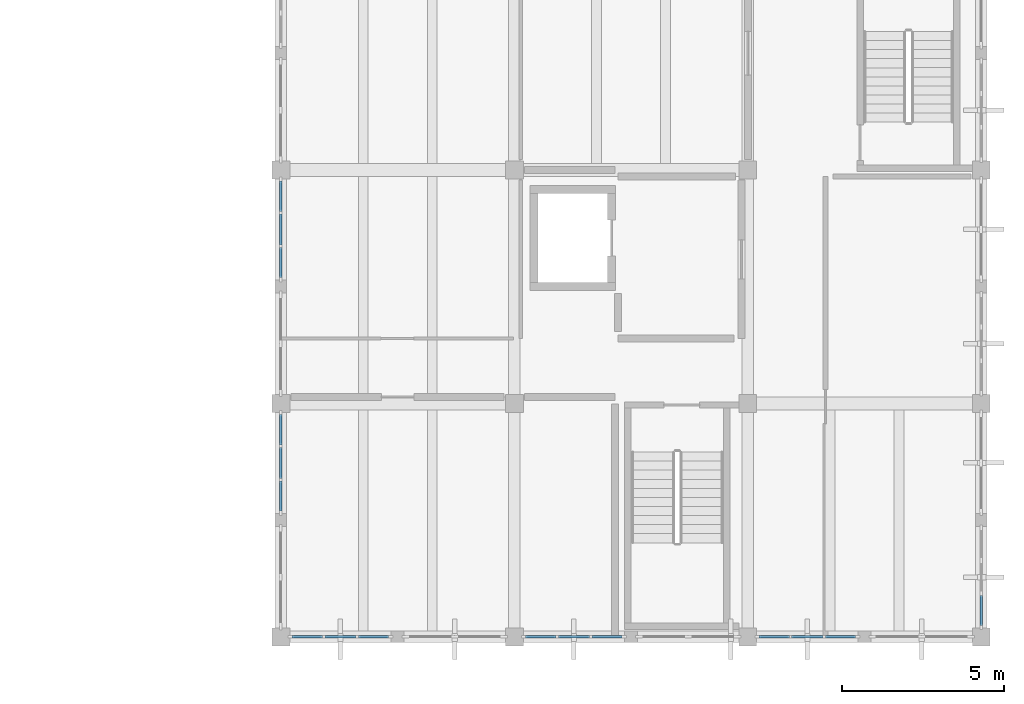
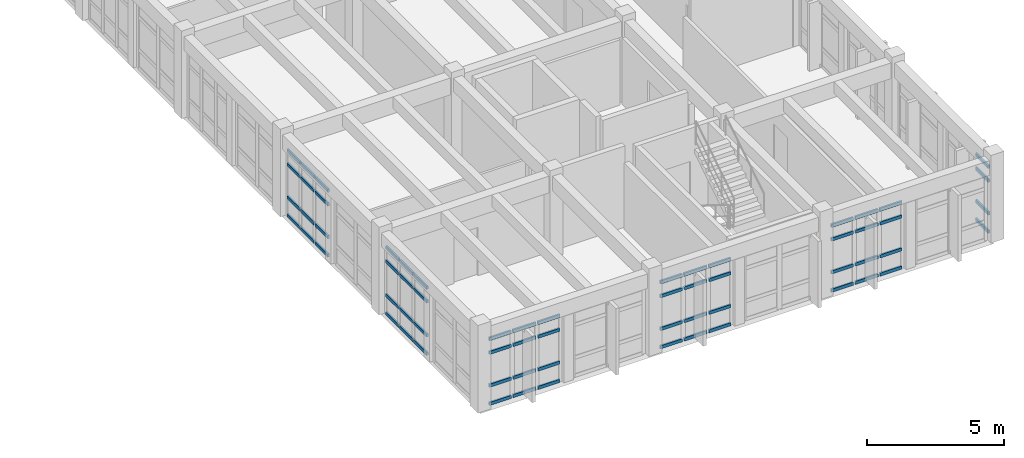
# One storey, part 9 of 22: 64 members, 6 elements without a shape of their own.
"""IFC4 building model written with IfcOpenShell, lengths in metres."""

from ifc_helpers import new_model, si_unit, direction, frame, origin, origin_2d, place, context, subcontext, project, spatial, rectangle, extrude, material, layer, layer_set, material_profile, profile_set, type_object, element, aggregate, save


model = new_model("IFC4")

# Units and contexts
model_context = context("Model", 3, precision=1e-05, world=origin(), true_north=direction((0.0, 1.0)))
body_context = subcontext(model_context, "Body", "Model", "MODEL_VIEW")
ifc_project = project(units=[si_unit("LENGTHUNIT", "METRE"), si_unit("AREAUNIT", "SQUARE_METRE"), si_unit("VOLUMEUNIT", "CUBIC_METRE"), si_unit("PLANEANGLEUNIT", "RADIAN"), si_unit("MASSUNIT", "GRAM", prefix="KILO")], contexts=[model_context])

# Site, building, storey
site_placement = place(None, origin())
site = spatial("IfcSite", under=ifc_project, at=site_placement, CompositionType="ELEMENT")
building_placement = place(site_placement, origin())
building = spatial("IfcBuilding", under=site, at=building_placement, Name="Koriwan Promenade Central Fire Station", CompositionType="ELEMENT")
storey_placement = place(building_placement, frame((0.0, 0.0, 17.39990234375)))
storey = spatial("IfcBuildingStorey", under=building, at=storey_placement, Name="L04", CompositionType="ELEMENT", Elevation=17.39990234375)

# Curtain wall, members
ifc_material_1 = material(Name="Aluminium EN AW-6063-T6 and low-E glazing", Category="aluminium")
ifc_layer_1 = layer(ifc_material_1, 0.159912109375, Name="Aluminium EN AW-6063-T6 and low-E glazing")
ifc_layer_set_1 = layer_set([ifc_layer_1], Name="Aluminium EN AW-6063-T6 and low-E glazing")
curtain_wall_type_1 = type_object("IfcCurtainWallType", Name="CurtainWall_82_312x296", PredefinedType="USERDEFINED", material=ifc_layer_set_1)
curtain_wall_1_placement = place(storey_placement, origin())
curtain_wall_1 = element("IfcCurtainWall", 1, at=curtain_wall_1_placement, inside=storey, type_object=curtain_wall_type_1, Name="V5 L04 unitised curtain wall 251", ObjectType="UNITISED CURTAIN WALL", PredefinedType="USERDEFINED")
ifc_material_2 = material(Name="Aluminium EN AW-6063-T6", Category="aluminium")
ifc_material_profile = material_profile(ifc_material_2, rectangle(XDim=0.074951171875, YDim=0.139892578125, at=origin_2d()), Name="ALU-TRN-75x140")
ifc_profile_set = profile_set([ifc_material_profile], Name="Aluminium EN AW-6063-T6")
member_type = type_object("IfcMemberType", Name="CWTransom_ALU-TRN-75x140", PredefinedType="USERDEFINED", material=ifc_profile_set)
member_1_placement = place(storey_placement, frame((172.800048828125, 0.35009765625, 0.03759765625), z_axis=(0.0, 1.0, 0.0), x_axis=(-1.0, 0.0, 0.0)))
member_1 = element("IfcMember", 2, at=member_1_placement, type_object=member_type, Name="CW-82 transom 1.1", ObjectType="TRANSOM", PredefinedType="USERDEFINED", context=body_context, shape_type="SweptSolid", body=[
    extrude(rectangle(XDim=0.074951171875, YDim=0.139892578125, at=origin_2d()), origin(), (0.0, 0.0, 1.0), 0.928955078125),
])
member_2_placement = place(storey_placement, frame((172.800048828125, 0.35009765625, 0.85009765625), z_axis=(0.0, 1.0, 0.0), x_axis=(-1.0, 0.0, 0.0)))
member_2 = element("IfcMember", 3, at=member_2_placement, type_object=member_type, Name="CW-82 transom 1.2", ObjectType="TRANSOM", PredefinedType="USERDEFINED", context=body_context, shape_type="SweptSolid", body=[
    extrude(rectangle(XDim=0.074951171875, YDim=0.139892578125, at=origin_2d()), origin(), (0.0, 0.0, 1.0), 0.928955078125),
])
member_3_placement = place(storey_placement, frame((172.800048828125, 0.35009765625, 2.31005859375), z_axis=(0.0, 1.0, 0.0), x_axis=(-1.0, 0.0, 0.0)))
member_3 = element("IfcMember", 4, at=member_3_placement, type_object=member_type, Name="CW-82 transom 1.3", ObjectType="TRANSOM", PredefinedType="USERDEFINED", context=body_context, shape_type="SweptSolid", body=[
    extrude(rectangle(XDim=0.074951171875, YDim=0.139892578125, at=origin_2d()), origin(), (0.0, 0.0, 1.0), 0.928955078125),
])
member_4_placement = place(storey_placement, frame((172.800048828125, 0.35009765625, 2.922607421875), z_axis=(0.0, 1.0, 0.0), x_axis=(-1.0, 0.0, 0.0)))
member_4 = element("IfcMember", 5, at=member_4_placement, type_object=member_type, Name="CW-82 transom 1.4", ObjectType="TRANSOM", PredefinedType="USERDEFINED", context=body_context, shape_type="SweptSolid", body=[
    extrude(rectangle(XDim=0.074951171875, YDim=0.139892578125, at=origin_2d()), origin(), (0.0, 0.0, 1.0), 0.928955078125),
])
aggregate(curtain_wall_1, [member_1, member_2, member_3, member_4])

curtain_wall_2_placement = place(storey_placement, origin())
curtain_wall_2 = element("IfcCurtainWall", 6, at=curtain_wall_2_placement, inside=storey, type_object=curtain_wall_type_1, Name="V5 L04 unitised curtain wall 267", ObjectType="UNITISED CURTAIN WALL", PredefinedType="USERDEFINED")
member_5_placement = place(storey_placement, frame((151.199951171875, 14.050048828125, 0.03759765625), z_axis=(0.0, -1.0, 0.0), x_axis=(1.0, 0.0, 0.0)))
member_5 = element("IfcMember", 7, at=member_5_placement, type_object=member_type, Name="CW-82 transom 1.1", ObjectType="TRANSOM", PredefinedType="USERDEFINED", context=body_context, shape_type="SweptSolid", body=[
    extrude(rectangle(XDim=0.074951171875, YDim=0.139892578125, at=origin_2d()), origin(), (0.0, 0.0, 1.0), 0.92919921875),
])
member_6_placement = place(storey_placement, frame((151.199951171875, 14.050048828125, 0.85009765625), z_axis=(0.0, -1.0, 0.0), x_axis=(1.0, 0.0, 0.0)))
member_6 = element("IfcMember", 8, at=member_6_placement, type_object=member_type, Name="CW-82 transom 1.2", ObjectType="TRANSOM", PredefinedType="USERDEFINED", context=body_context, shape_type="SweptSolid", body=[
    extrude(rectangle(XDim=0.074951171875, YDim=0.139892578125, at=origin_2d()), origin(), (0.0, 0.0, 1.0), 0.92919921875),
])
member_7_placement = place(storey_placement, frame((151.199951171875, 14.050048828125, 2.31005859375), z_axis=(0.0, -1.0, 0.0), x_axis=(1.0, 0.0, 0.0)))
member_7 = element("IfcMember", 9, at=member_7_placement, type_object=member_type, Name="CW-82 transom 1.3", ObjectType="TRANSOM", PredefinedType="USERDEFINED", context=body_context, shape_type="SweptSolid", body=[
    extrude(rectangle(XDim=0.074951171875, YDim=0.139892578125, at=origin_2d()), origin(), (0.0, 0.0, 1.0), 0.92919921875),
])
member_8_placement = place(storey_placement, frame((151.199951171875, 14.050048828125, 2.922607421875), z_axis=(0.0, -1.0, 0.0), x_axis=(1.0, 0.0, 0.0)))
member_8 = element("IfcMember", 10, at=member_8_placement, type_object=member_type, Name="CW-82 transom 1.4", ObjectType="TRANSOM", PredefinedType="USERDEFINED", context=body_context, shape_type="SweptSolid", body=[
    extrude(rectangle(XDim=0.074951171875, YDim=0.139892578125, at=origin_2d()), origin(), (0.0, 0.0, 1.0), 0.92919921875),
])
member_9_placement = place(storey_placement, frame((151.199951171875, 13.0458984375, 0.03759765625), z_axis=(0.0, -1.0, 0.0), x_axis=(1.0, 0.0, 0.0)))
member_9 = element("IfcMember", 11, at=member_9_placement, type_object=member_type, Name="CW-82 transom 2.1", ObjectType="TRANSOM", PredefinedType="USERDEFINED", context=body_context, shape_type="SweptSolid", body=[
    extrude(rectangle(XDim=0.074951171875, YDim=0.139892578125, at=origin_2d()), origin(), (0.0, 0.0, 1.0), 0.966796875),
])
member_10_placement = place(storey_placement, frame((151.199951171875, 13.0458984375, 0.85009765625), z_axis=(0.0, -1.0, 0.0), x_axis=(1.0, 0.0, 0.0)))
member_10 = element("IfcMember", 12, at=member_10_placement, type_object=member_type, Name="CW-82 transom 2.2", ObjectType="TRANSOM", PredefinedType="USERDEFINED", context=body_context, shape_type="SweptSolid", body=[
    extrude(rectangle(XDim=0.074951171875, YDim=0.139892578125, at=origin_2d()), origin(), (0.0, 0.0, 1.0), 0.966796875),
])
member_11_placement = place(storey_placement, frame((151.199951171875, 13.0458984375, 2.31005859375), z_axis=(0.0, -1.0, 0.0), x_axis=(1.0, 0.0, 0.0)))
member_11 = element("IfcMember", 13, at=member_11_placement, type_object=member_type, Name="CW-82 transom 2.3", ObjectType="TRANSOM", PredefinedType="USERDEFINED", context=body_context, shape_type="SweptSolid", body=[
    extrude(rectangle(XDim=0.074951171875, YDim=0.139892578125, at=origin_2d()), origin(), (0.0, 0.0, 1.0), 0.966796875),
])
member_12_placement = place(storey_placement, frame((151.199951171875, 13.0458984375, 2.922607421875), z_axis=(0.0, -1.0, 0.0), x_axis=(1.0, 0.0, 0.0)))
member_12 = element("IfcMember", 14, at=member_12_placement, type_object=member_type, Name="CW-82 transom 2.4", ObjectType="TRANSOM", PredefinedType="USERDEFINED", context=body_context, shape_type="SweptSolid", body=[
    extrude(rectangle(XDim=0.074951171875, YDim=0.139892578125, at=origin_2d()), origin(), (0.0, 0.0, 1.0), 0.966796875),
])
member_13_placement = place(storey_placement, frame((151.199951171875, 12.004150390625, 0.03759765625), z_axis=(0.0, -1.0, 0.0), x_axis=(1.0, 0.0, 0.0)))
member_13 = element("IfcMember", 15, at=member_13_placement, type_object=member_type, Name="CW-82 transom 3.1", ObjectType="TRANSOM", PredefinedType="USERDEFINED", context=body_context, shape_type="SweptSolid", body=[
    extrude(rectangle(XDim=0.074951171875, YDim=0.139892578125, at=origin_2d()), origin(), (0.0, 0.0, 1.0), 0.92919921875),
])
member_14_placement = place(storey_placement, frame((151.199951171875, 12.004150390625, 0.85009765625), z_axis=(0.0, -1.0, 0.0), x_axis=(1.0, 0.0, 0.0)))
member_14 = element("IfcMember", 16, at=member_14_placement, type_object=member_type, Name="CW-82 transom 3.2", ObjectType="TRANSOM", PredefinedType="USERDEFINED", context=body_context, shape_type="SweptSolid", body=[
    extrude(rectangle(XDim=0.074951171875, YDim=0.139892578125, at=origin_2d()), origin(), (0.0, 0.0, 1.0), 0.92919921875),
])
member_15_placement = place(storey_placement, frame((151.199951171875, 12.004150390625, 2.31005859375), z_axis=(0.0, -1.0, 0.0), x_axis=(1.0, 0.0, 0.0)))
member_15 = element("IfcMember", 17, at=member_15_placement, type_object=member_type, Name="CW-82 transom 3.3", ObjectType="TRANSOM", PredefinedType="USERDEFINED", context=body_context, shape_type="SweptSolid", body=[
    extrude(rectangle(XDim=0.074951171875, YDim=0.139892578125, at=origin_2d()), origin(), (0.0, 0.0, 1.0), 0.92919921875),
])
member_16_placement = place(storey_placement, frame((151.199951171875, 12.004150390625, 2.922607421875), z_axis=(0.0, -1.0, 0.0), x_axis=(1.0, 0.0, 0.0)))
member_16 = element("IfcMember", 18, at=member_16_placement, type_object=member_type, Name="CW-82 transom 3.4", ObjectType="TRANSOM", PredefinedType="USERDEFINED", context=body_context, shape_type="SweptSolid", body=[
    extrude(rectangle(XDim=0.074951171875, YDim=0.139892578125, at=origin_2d()), origin(), (0.0, 0.0, 1.0), 0.92919921875),
])
aggregate(curtain_wall_2, [member_5, member_6, member_7, member_8, member_9, member_10, member_11, member_12, member_13, member_14, member_15, member_16])

ifc_layer_2 = layer(ifc_material_1, 0.159912109375, Name="Aluminium EN AW-6063-T6 and low-E glazing")
ifc_layer_set_2 = layer_set([ifc_layer_2], Name="Aluminium EN AW-6063-T6 and low-E glazing")
curtain_wall_type_2 = type_object("IfcCurtainWallType", Name="CurtainWall_84_312x301", PredefinedType="USERDEFINED", material=ifc_layer_set_2)
curtain_wall_3_placement = place(storey_placement, origin())
curtain_wall_3 = element("IfcCurtainWall", 19, at=curtain_wall_3_placement, inside=storey, type_object=curtain_wall_type_2, Name="V5 L04 unitised curtain wall 269", ObjectType="UNITISED CURTAIN WALL", PredefinedType="USERDEFINED")
member_17_placement = place(storey_placement, frame((151.199951171875, 6.85009765625, 0.03759765625), z_axis=(0.0, -1.0, 0.0), x_axis=(1.0, 0.0, 0.0)))
member_17 = element("IfcMember", 20, at=member_17_placement, type_object=member_type, Name="CW-84 transom 1.1", ObjectType="TRANSOM", PredefinedType="USERDEFINED", context=body_context, shape_type="SweptSolid", body=[
    extrude(rectangle(XDim=0.074951171875, YDim=0.139892578125, at=origin_2d()), origin(), (0.0, 0.0, 1.0), 0.92919921875),
])
member_18_placement = place(storey_placement, frame((151.199951171875, 6.85009765625, 0.85009765625), z_axis=(0.0, -1.0, 0.0), x_axis=(1.0, 0.0, 0.0)))
member_18 = element("IfcMember", 21, at=member_18_placement, type_object=member_type, Name="CW-84 transom 1.2", ObjectType="TRANSOM", PredefinedType="USERDEFINED", context=body_context, shape_type="SweptSolid", body=[
    extrude(rectangle(XDim=0.074951171875, YDim=0.139892578125, at=origin_2d()), origin(), (0.0, 0.0, 1.0), 0.92919921875),
])
member_19_placement = place(storey_placement, frame((151.199951171875, 6.85009765625, 2.360107421875), z_axis=(0.0, -1.0, 0.0), x_axis=(1.0, 0.0, 0.0)))
member_19 = element("IfcMember", 22, at=member_19_placement, type_object=member_type, Name="CW-84 transom 1.3", ObjectType="TRANSOM", PredefinedType="USERDEFINED", context=body_context, shape_type="SweptSolid", body=[
    extrude(rectangle(XDim=0.074951171875, YDim=0.139892578125, at=origin_2d()), origin(), (0.0, 0.0, 1.0), 0.92919921875),
])
member_20_placement = place(storey_placement, frame((151.199951171875, 6.85009765625, 2.97265625), z_axis=(0.0, -1.0, 0.0), x_axis=(1.0, 0.0, 0.0)))
member_20 = element("IfcMember", 23, at=member_20_placement, type_object=member_type, Name="CW-84 transom 1.4", ObjectType="TRANSOM", PredefinedType="USERDEFINED", context=body_context, shape_type="SweptSolid", body=[
    extrude(rectangle(XDim=0.074951171875, YDim=0.139892578125, at=origin_2d()), origin(), (0.0, 0.0, 1.0), 0.92919921875),
])
member_21_placement = place(storey_placement, frame((151.199951171875, 5.845947265625, 0.03759765625), z_axis=(0.0, -1.0, 0.0), x_axis=(1.0, 0.0, 0.0)))
member_21 = element("IfcMember", 24, at=member_21_placement, type_object=member_type, Name="CW-84 transom 2.1", ObjectType="TRANSOM", PredefinedType="USERDEFINED", context=body_context, shape_type="SweptSolid", body=[
    extrude(rectangle(XDim=0.074951171875, YDim=0.139892578125, at=origin_2d()), origin(), (0.0, 0.0, 1.0), 0.966796875),
])
member_22_placement = place(storey_placement, frame((151.199951171875, 5.845947265625, 0.85009765625), z_axis=(0.0, -1.0, 0.0), x_axis=(1.0, 0.0, 0.0)))
member_22 = element("IfcMember", 25, at=member_22_placement, type_object=member_type, Name="CW-84 transom 2.2", ObjectType="TRANSOM", PredefinedType="USERDEFINED", context=body_context, shape_type="SweptSolid", body=[
    extrude(rectangle(XDim=0.074951171875, YDim=0.139892578125, at=origin_2d()), origin(), (0.0, 0.0, 1.0), 0.966796875),
])
member_23_placement = place(storey_placement, frame((151.199951171875, 5.845947265625, 2.360107421875), z_axis=(0.0, -1.0, 0.0), x_axis=(1.0, 0.0, 0.0)))
member_23 = element("IfcMember", 26, at=member_23_placement, type_object=member_type, Name="CW-84 transom 2.3", ObjectType="TRANSOM", PredefinedType="USERDEFINED", context=body_context, shape_type="SweptSolid", body=[
    extrude(rectangle(XDim=0.074951171875, YDim=0.139892578125, at=origin_2d()), origin(), (0.0, 0.0, 1.0), 0.966796875),
])
member_24_placement = place(storey_placement, frame((151.199951171875, 5.845947265625, 2.97265625), z_axis=(0.0, -1.0, 0.0), x_axis=(1.0, 0.0, 0.0)))
member_24 = element("IfcMember", 27, at=member_24_placement, type_object=member_type, Name="CW-84 transom 2.4", ObjectType="TRANSOM", PredefinedType="USERDEFINED", context=body_context, shape_type="SweptSolid", body=[
    extrude(rectangle(XDim=0.074951171875, YDim=0.139892578125, at=origin_2d()), origin(), (0.0, 0.0, 1.0), 0.966796875),
])
member_25_placement = place(storey_placement, frame((151.199951171875, 4.80419921875, 0.03759765625), z_axis=(0.0, -1.0, 0.0), x_axis=(1.0, 0.0, 0.0)))
member_25 = element("IfcMember", 28, at=member_25_placement, type_object=member_type, Name="CW-84 transom 3.1", ObjectType="TRANSOM", PredefinedType="USERDEFINED", context=body_context, shape_type="SweptSolid", body=[
    extrude(rectangle(XDim=0.074951171875, YDim=0.139892578125, at=origin_2d()), origin(), (0.0, 0.0, 1.0), 0.92919921875),
])
member_26_placement = place(storey_placement, frame((151.199951171875, 4.80419921875, 0.85009765625), z_axis=(0.0, -1.0, 0.0), x_axis=(1.0, 0.0, 0.0)))
member_26 = element("IfcMember", 29, at=member_26_placement, type_object=member_type, Name="CW-84 transom 3.2", ObjectType="TRANSOM", PredefinedType="USERDEFINED", context=body_context, shape_type="SweptSolid", body=[
    extrude(rectangle(XDim=0.074951171875, YDim=0.139892578125, at=origin_2d()), origin(), (0.0, 0.0, 1.0), 0.92919921875),
])
member_27_placement = place(storey_placement, frame((151.199951171875, 4.80419921875, 2.360107421875), z_axis=(0.0, -1.0, 0.0), x_axis=(1.0, 0.0, 0.0)))
member_27 = element("IfcMember", 30, at=member_27_placement, type_object=member_type, Name="CW-84 transom 3.3", ObjectType="TRANSOM", PredefinedType="USERDEFINED", context=body_context, shape_type="SweptSolid", body=[
    extrude(rectangle(XDim=0.074951171875, YDim=0.139892578125, at=origin_2d()), origin(), (0.0, 0.0, 1.0), 0.92919921875),
])
member_28_placement = place(storey_placement, frame((151.199951171875, 4.80419921875, 2.97265625), z_axis=(0.0, -1.0, 0.0), x_axis=(1.0, 0.0, 0.0)))
member_28 = element("IfcMember", 31, at=member_28_placement, type_object=member_type, Name="CW-84 transom 3.4", ObjectType="TRANSOM", PredefinedType="USERDEFINED", context=body_context, shape_type="SweptSolid", body=[
    extrude(rectangle(XDim=0.074951171875, YDim=0.139892578125, at=origin_2d()), origin(), (0.0, 0.0, 1.0), 0.92919921875),
])
aggregate(curtain_wall_3, [member_17, member_18, member_19, member_20, member_21, member_22, member_23, member_24, member_25, member_26, member_27, member_28])

curtain_wall_4_placement = place(storey_placement, origin())
curtain_wall_4 = element("IfcCurtainWall", 32, at=curtain_wall_4_placement, inside=storey, type_object=curtain_wall_type_1, Name="V5 L04 unitised curtain wall 271", ObjectType="UNITISED CURTAIN WALL", PredefinedType="USERDEFINED")
member_29_placement = place(storey_placement, frame((151.550048828125, 0.0, 0.03759765625), z_axis=(1.0, 0.0, 0.0), x_axis=(0.0, 1.0, 0.0)))
member_29 = element("IfcMember", 33, at=member_29_placement, type_object=member_type, Name="CW-82 transom 1.1", ObjectType="TRANSOM", PredefinedType="USERDEFINED", context=body_context, shape_type="SweptSolid", body=[
    extrude(rectangle(XDim=0.074951171875, YDim=0.139892578125, at=origin_2d()), origin(), (0.0, 0.0, 1.0), 0.92919921875),
])
member_30_placement = place(storey_placement, frame((151.550048828125, 0.0, 0.85009765625), z_axis=(1.0, 0.0, 0.0), x_axis=(0.0, 1.0, 0.0)))
member_30 = element("IfcMember", 34, at=member_30_placement, type_object=member_type, Name="CW-82 transom 1.2", ObjectType="TRANSOM", PredefinedType="USERDEFINED", context=body_context, shape_type="SweptSolid", body=[
    extrude(rectangle(XDim=0.074951171875, YDim=0.139892578125, at=origin_2d()), origin(), (0.0, 0.0, 1.0), 0.92919921875),
])
member_31_placement = place(storey_placement, frame((151.550048828125, 0.0, 2.31005859375), z_axis=(1.0, 0.0, 0.0), x_axis=(0.0, 1.0, 0.0)))
member_31 = element("IfcMember", 35, at=member_31_placement, type_object=member_type, Name="CW-82 transom 1.3", ObjectType="TRANSOM", PredefinedType="USERDEFINED", context=body_context, shape_type="SweptSolid", body=[
    extrude(rectangle(XDim=0.074951171875, YDim=0.139892578125, at=origin_2d()), origin(), (0.0, 0.0, 1.0), 0.92919921875),
])
member_32_placement = place(storey_placement, frame((151.550048828125, 0.0, 2.922607421875), z_axis=(1.0, 0.0, 0.0), x_axis=(0.0, 1.0, 0.0)))
member_32 = element("IfcMember", 36, at=member_32_placement, type_object=member_type, Name="CW-82 transom 1.4", ObjectType="TRANSOM", PredefinedType="USERDEFINED", context=body_context, shape_type="SweptSolid", body=[
    extrude(rectangle(XDim=0.074951171875, YDim=0.139892578125, at=origin_2d()), origin(), (0.0, 0.0, 1.0), 0.92919921875),
])
member_33_placement = place(storey_placement, frame((152.55419921875, 0.0, 0.03759765625), z_axis=(1.0, 0.0, 0.0), x_axis=(0.0, 1.0, 0.0)))
member_33 = element("IfcMember", 37, at=member_33_placement, type_object=member_type, Name="CW-82 transom 2.1", ObjectType="TRANSOM", PredefinedType="USERDEFINED", context=body_context, shape_type="SweptSolid", body=[
    extrude(rectangle(XDim=0.074951171875, YDim=0.139892578125, at=origin_2d()), origin(), (0.0, 0.0, 1.0), 0.966552734375),
])
member_34_placement = place(storey_placement, frame((152.55419921875, 0.0, 0.85009765625), z_axis=(1.0, 0.0, 0.0), x_axis=(0.0, 1.0, 0.0)))
member_34 = element("IfcMember", 38, at=member_34_placement, type_object=member_type, Name="CW-82 transom 2.2", ObjectType="TRANSOM", PredefinedType="USERDEFINED", context=body_context, shape_type="SweptSolid", body=[
    extrude(rectangle(XDim=0.074951171875, YDim=0.139892578125, at=origin_2d()), origin(), (0.0, 0.0, 1.0), 0.966552734375),
])
member_35_placement = place(storey_placement, frame((152.55419921875, 0.0, 2.31005859375), z_axis=(1.0, 0.0, 0.0), x_axis=(0.0, 1.0, 0.0)))
member_35 = element("IfcMember", 39, at=member_35_placement, type_object=member_type, Name="CW-82 transom 2.3", ObjectType="TRANSOM", PredefinedType="USERDEFINED", context=body_context, shape_type="SweptSolid", body=[
    extrude(rectangle(XDim=0.074951171875, YDim=0.139892578125, at=origin_2d()), origin(), (0.0, 0.0, 1.0), 0.966552734375),
])
member_36_placement = place(storey_placement, frame((152.55419921875, 0.0, 2.922607421875), z_axis=(1.0, 0.0, 0.0), x_axis=(0.0, 1.0, 0.0)))
member_36 = element("IfcMember", 40, at=member_36_placement, type_object=member_type, Name="CW-82 transom 2.4", ObjectType="TRANSOM", PredefinedType="USERDEFINED", context=body_context, shape_type="SweptSolid", body=[
    extrude(rectangle(XDim=0.074951171875, YDim=0.139892578125, at=origin_2d()), origin(), (0.0, 0.0, 1.0), 0.966552734375),
])
member_37_placement = place(storey_placement, frame((153.595947265625, 0.0, 0.03759765625), z_axis=(1.0, 0.0, 0.0), x_axis=(0.0, 1.0, 0.0)))
member_37 = element("IfcMember", 41, at=member_37_placement, type_object=member_type, Name="CW-82 transom 3.1", ObjectType="TRANSOM", PredefinedType="USERDEFINED", context=body_context, shape_type="SweptSolid", body=[
    extrude(rectangle(XDim=0.074951171875, YDim=0.139892578125, at=origin_2d()), origin(), (0.0, 0.0, 1.0), 0.928955078125),
])
member_38_placement = place(storey_placement, frame((153.595947265625, 0.0, 0.85009765625), z_axis=(1.0, 0.0, 0.0), x_axis=(0.0, 1.0, 0.0)))
member_38 = element("IfcMember", 42, at=member_38_placement, type_object=member_type, Name="CW-82 transom 3.2", ObjectType="TRANSOM", PredefinedType="USERDEFINED", context=body_context, shape_type="SweptSolid", body=[
    extrude(rectangle(XDim=0.074951171875, YDim=0.139892578125, at=origin_2d()), origin(), (0.0, 0.0, 1.0), 0.928955078125),
])
member_39_placement = place(storey_placement, frame((153.595947265625, 0.0, 2.31005859375), z_axis=(1.0, 0.0, 0.0), x_axis=(0.0, 1.0, 0.0)))
member_39 = element("IfcMember", 43, at=member_39_placement, type_object=member_type, Name="CW-82 transom 3.3", ObjectType="TRANSOM", PredefinedType="USERDEFINED", context=body_context, shape_type="SweptSolid", body=[
    extrude(rectangle(XDim=0.074951171875, YDim=0.139892578125, at=origin_2d()), origin(), (0.0, 0.0, 1.0), 0.928955078125),
])
member_40_placement = place(storey_placement, frame((153.595947265625, 0.0, 2.922607421875), z_axis=(1.0, 0.0, 0.0), x_axis=(0.0, 1.0, 0.0)))
member_40 = element("IfcMember", 44, at=member_40_placement, type_object=member_type, Name="CW-82 transom 3.4", ObjectType="TRANSOM", PredefinedType="USERDEFINED", context=body_context, shape_type="SweptSolid", body=[
    extrude(rectangle(XDim=0.074951171875, YDim=0.139892578125, at=origin_2d()), origin(), (0.0, 0.0, 1.0), 0.928955078125),
])
aggregate(curtain_wall_4, [member_29, member_30, member_31, member_32, member_33, member_34, member_35, member_36, member_37, member_38, member_39, member_40])

curtain_wall_5_placement = place(storey_placement, origin())
curtain_wall_5 = element("IfcCurtainWall", 45, at=curtain_wall_5_placement, inside=storey, type_object=curtain_wall_type_1, Name="V5 L04 unitised curtain wall 273", ObjectType="UNITISED CURTAIN WALL", PredefinedType="USERDEFINED")
member_41_placement = place(storey_placement, frame((158.75, 0.0, 0.03759765625), z_axis=(1.0, 0.0, 0.0), x_axis=(0.0, 1.0, 0.0)))
member_41 = element("IfcMember", 46, at=member_41_placement, type_object=member_type, Name="CW-82 transom 1.1", ObjectType="TRANSOM", PredefinedType="USERDEFINED", context=body_context, shape_type="SweptSolid", body=[
    extrude(rectangle(XDim=0.074951171875, YDim=0.139892578125, at=origin_2d()), origin(), (0.0, 0.0, 1.0), 0.92919921875),
])
member_42_placement = place(storey_placement, frame((158.75, 0.0, 0.85009765625), z_axis=(1.0, 0.0, 0.0), x_axis=(0.0, 1.0, 0.0)))
member_42 = element("IfcMember", 47, at=member_42_placement, type_object=member_type, Name="CW-82 transom 1.2", ObjectType="TRANSOM", PredefinedType="USERDEFINED", context=body_context, shape_type="SweptSolid", body=[
    extrude(rectangle(XDim=0.074951171875, YDim=0.139892578125, at=origin_2d()), origin(), (0.0, 0.0, 1.0), 0.92919921875),
])
member_43_placement = place(storey_placement, frame((158.75, 0.0, 2.31005859375), z_axis=(1.0, 0.0, 0.0), x_axis=(0.0, 1.0, 0.0)))
member_43 = element("IfcMember", 48, at=member_43_placement, type_object=member_type, Name="CW-82 transom 1.3", ObjectType="TRANSOM", PredefinedType="USERDEFINED", context=body_context, shape_type="SweptSolid", body=[
    extrude(rectangle(XDim=0.074951171875, YDim=0.139892578125, at=origin_2d()), origin(), (0.0, 0.0, 1.0), 0.92919921875),
])
member_44_placement = place(storey_placement, frame((158.75, 0.0, 2.922607421875), z_axis=(1.0, 0.0, 0.0), x_axis=(0.0, 1.0, 0.0)))
member_44 = element("IfcMember", 49, at=member_44_placement, type_object=member_type, Name="CW-82 transom 1.4", ObjectType="TRANSOM", PredefinedType="USERDEFINED", context=body_context, shape_type="SweptSolid", body=[
    extrude(rectangle(XDim=0.074951171875, YDim=0.139892578125, at=origin_2d()), origin(), (0.0, 0.0, 1.0), 0.92919921875),
])
member_45_placement = place(storey_placement, frame((159.754150390625, 0.0, 0.03759765625), z_axis=(1.0, 0.0, 0.0), x_axis=(0.0, 1.0, 0.0)))
member_45 = element("IfcMember", 50, at=member_45_placement, type_object=member_type, Name="CW-82 transom 2.1", ObjectType="TRANSOM", PredefinedType="USERDEFINED", context=body_context, shape_type="SweptSolid", body=[
    extrude(rectangle(XDim=0.074951171875, YDim=0.139892578125, at=origin_2d()), origin(), (0.0, 0.0, 1.0), 0.966796875),
])
member_46_placement = place(storey_placement, frame((159.754150390625, 0.0, 0.85009765625), z_axis=(1.0, 0.0, 0.0), x_axis=(0.0, 1.0, 0.0)))
member_46 = element("IfcMember", 51, at=member_46_placement, type_object=member_type, Name="CW-82 transom 2.2", ObjectType="TRANSOM", PredefinedType="USERDEFINED", context=body_context, shape_type="SweptSolid", body=[
    extrude(rectangle(XDim=0.074951171875, YDim=0.139892578125, at=origin_2d()), origin(), (0.0, 0.0, 1.0), 0.966796875),
])
member_47_placement = place(storey_placement, frame((159.754150390625, 0.0, 2.31005859375), z_axis=(1.0, 0.0, 0.0), x_axis=(0.0, 1.0, 0.0)))
member_47 = element("IfcMember", 52, at=member_47_placement, type_object=member_type, Name="CW-82 transom 2.3", ObjectType="TRANSOM", PredefinedType="USERDEFINED", context=body_context, shape_type="SweptSolid", body=[
    extrude(rectangle(XDim=0.074951171875, YDim=0.139892578125, at=origin_2d()), origin(), (0.0, 0.0, 1.0), 0.966796875),
])
member_48_placement = place(storey_placement, frame((159.754150390625, 0.0, 2.922607421875), z_axis=(1.0, 0.0, 0.0), x_axis=(0.0, 1.0, 0.0)))
member_48 = element("IfcMember", 53, at=member_48_placement, type_object=member_type, Name="CW-82 transom 2.4", ObjectType="TRANSOM", PredefinedType="USERDEFINED", context=body_context, shape_type="SweptSolid", body=[
    extrude(rectangle(XDim=0.074951171875, YDim=0.139892578125, at=origin_2d()), origin(), (0.0, 0.0, 1.0), 0.966796875),
])
member_49_placement = place(storey_placement, frame((160.7958984375, 0.0, 0.03759765625), z_axis=(1.0, 0.0, 0.0), x_axis=(0.0, 1.0, 0.0)))
member_49 = element("IfcMember", 54, at=member_49_placement, type_object=member_type, Name="CW-82 transom 3.1", ObjectType="TRANSOM", PredefinedType="USERDEFINED", context=body_context, shape_type="SweptSolid", body=[
    extrude(rectangle(XDim=0.074951171875, YDim=0.139892578125, at=origin_2d()), origin(), (0.0, 0.0, 1.0), 0.92919921875),
])
member_50_placement = place(storey_placement, frame((160.7958984375, 0.0, 0.85009765625), z_axis=(1.0, 0.0, 0.0), x_axis=(0.0, 1.0, 0.0)))
member_50 = element("IfcMember", 55, at=member_50_placement, type_object=member_type, Name="CW-82 transom 3.2", ObjectType="TRANSOM", PredefinedType="USERDEFINED", context=body_context, shape_type="SweptSolid", body=[
    extrude(rectangle(XDim=0.074951171875, YDim=0.139892578125, at=origin_2d()), origin(), (0.0, 0.0, 1.0), 0.92919921875),
])
member_51_placement = place(storey_placement, frame((160.7958984375, 0.0, 2.31005859375), z_axis=(1.0, 0.0, 0.0), x_axis=(0.0, 1.0, 0.0)))
member_51 = element("IfcMember", 56, at=member_51_placement, type_object=member_type, Name="CW-82 transom 3.3", ObjectType="TRANSOM", PredefinedType="USERDEFINED", context=body_context, shape_type="SweptSolid", body=[
    extrude(rectangle(XDim=0.074951171875, YDim=0.139892578125, at=origin_2d()), origin(), (0.0, 0.0, 1.0), 0.92919921875),
])
member_52_placement = place(storey_placement, frame((160.7958984375, 0.0, 2.922607421875), z_axis=(1.0, 0.0, 0.0), x_axis=(0.0, 1.0, 0.0)))
member_52 = element("IfcMember", 57, at=member_52_placement, type_object=member_type, Name="CW-82 transom 3.4", ObjectType="TRANSOM", PredefinedType="USERDEFINED", context=body_context, shape_type="SweptSolid", body=[
    extrude(rectangle(XDim=0.074951171875, YDim=0.139892578125, at=origin_2d()), origin(), (0.0, 0.0, 1.0), 0.92919921875),
])
aggregate(curtain_wall_5, [member_41, member_42, member_43, member_44, member_45, member_46, member_47, member_48, member_49, member_50, member_51, member_52])

curtain_wall_6_placement = place(storey_placement, origin())
curtain_wall_6 = element("IfcCurtainWall", 58, at=curtain_wall_6_placement, inside=storey, type_object=curtain_wall_type_1, Name="V5 L04 unitised curtain wall 275", ObjectType="UNITISED CURTAIN WALL", PredefinedType="USERDEFINED")
member_53_placement = place(storey_placement, frame((165.949951171875, 0.0, 0.03759765625), z_axis=(1.0, 0.0, 0.0), x_axis=(0.0, 1.0, 0.0)))
member_53 = element("IfcMember", 59, at=member_53_placement, type_object=member_type, Name="CW-82 transom 1.1", ObjectType="TRANSOM", PredefinedType="USERDEFINED", context=body_context, shape_type="SweptSolid", body=[
    extrude(rectangle(XDim=0.074951171875, YDim=0.139892578125, at=origin_2d()), origin(), (0.0, 0.0, 1.0), 0.92919921875),
])
member_54_placement = place(storey_placement, frame((165.949951171875, 0.0, 0.85009765625), z_axis=(1.0, 0.0, 0.0), x_axis=(0.0, 1.0, 0.0)))
member_54 = element("IfcMember", 60, at=member_54_placement, type_object=member_type, Name="CW-82 transom 1.2", ObjectType="TRANSOM", PredefinedType="USERDEFINED", context=body_context, shape_type="SweptSolid", body=[
    extrude(rectangle(XDim=0.074951171875, YDim=0.139892578125, at=origin_2d()), origin(), (0.0, 0.0, 1.0), 0.92919921875),
])
member_55_placement = place(storey_placement, frame((165.949951171875, 0.0, 2.31005859375), z_axis=(1.0, 0.0, 0.0), x_axis=(0.0, 1.0, 0.0)))
member_55 = element("IfcMember", 61, at=member_55_placement, type_object=member_type, Name="CW-82 transom 1.3", ObjectType="TRANSOM", PredefinedType="USERDEFINED", context=body_context, shape_type="SweptSolid", body=[
    extrude(rectangle(XDim=0.074951171875, YDim=0.139892578125, at=origin_2d()), origin(), (0.0, 0.0, 1.0), 0.92919921875),
])
member_56_placement = place(storey_placement, frame((165.949951171875, 0.0, 2.922607421875), z_axis=(1.0, 0.0, 0.0), x_axis=(0.0, 1.0, 0.0)))
member_56 = element("IfcMember", 62, at=member_56_placement, type_object=member_type, Name="CW-82 transom 1.4", ObjectType="TRANSOM", PredefinedType="USERDEFINED", context=body_context, shape_type="SweptSolid", body=[
    extrude(rectangle(XDim=0.074951171875, YDim=0.139892578125, at=origin_2d()), origin(), (0.0, 0.0, 1.0), 0.92919921875),
])
member_57_placement = place(storey_placement, frame((166.9541015625, 0.0, 0.03759765625), z_axis=(1.0, 0.0, 0.0), x_axis=(0.0, 1.0, 0.0)))
member_57 = element("IfcMember", 63, at=member_57_placement, type_object=member_type, Name="CW-82 transom 2.1", ObjectType="TRANSOM", PredefinedType="USERDEFINED", context=body_context, shape_type="SweptSolid", body=[
    extrude(rectangle(XDim=0.074951171875, YDim=0.139892578125, at=origin_2d()), origin(), (0.0, 0.0, 1.0), 0.966796875),
])
member_58_placement = place(storey_placement, frame((166.9541015625, 0.0, 0.85009765625), z_axis=(1.0, 0.0, 0.0), x_axis=(0.0, 1.0, 0.0)))
member_58 = element("IfcMember", 64, at=member_58_placement, type_object=member_type, Name="CW-82 transom 2.2", ObjectType="TRANSOM", PredefinedType="USERDEFINED", context=body_context, shape_type="SweptSolid", body=[
    extrude(rectangle(XDim=0.074951171875, YDim=0.139892578125, at=origin_2d()), origin(), (0.0, 0.0, 1.0), 0.966796875),
])
member_59_placement = place(storey_placement, frame((166.9541015625, 0.0, 2.31005859375), z_axis=(1.0, 0.0, 0.0), x_axis=(0.0, 1.0, 0.0)))
member_59 = element("IfcMember", 65, at=member_59_placement, type_object=member_type, Name="CW-82 transom 2.3", ObjectType="TRANSOM", PredefinedType="USERDEFINED", context=body_context, shape_type="SweptSolid", body=[
    extrude(rectangle(XDim=0.074951171875, YDim=0.139892578125, at=origin_2d()), origin(), (0.0, 0.0, 1.0), 0.966796875),
])
member_60_placement = place(storey_placement, frame((166.9541015625, 0.0, 2.922607421875), z_axis=(1.0, 0.0, 0.0), x_axis=(0.0, 1.0, 0.0)))
member_60 = element("IfcMember", 66, at=member_60_placement, type_object=member_type, Name="CW-82 transom 2.4", ObjectType="TRANSOM", PredefinedType="USERDEFINED", context=body_context, shape_type="SweptSolid", body=[
    extrude(rectangle(XDim=0.074951171875, YDim=0.139892578125, at=origin_2d()), origin(), (0.0, 0.0, 1.0), 0.966796875),
])
member_61_placement = place(storey_placement, frame((167.995849609375, 0.0, 0.03759765625), z_axis=(1.0, 0.0, 0.0), x_axis=(0.0, 1.0, 0.0)))
member_61 = element("IfcMember", 67, at=member_61_placement, type_object=member_type, Name="CW-82 transom 3.1", ObjectType="TRANSOM", PredefinedType="USERDEFINED", context=body_context, shape_type="SweptSolid", body=[
    extrude(rectangle(XDim=0.074951171875, YDim=0.139892578125, at=origin_2d()), origin(), (0.0, 0.0, 1.0), 0.92919921875),
])
member_62_placement = place(storey_placement, frame((167.995849609375, 0.0, 0.85009765625), z_axis=(1.0, 0.0, 0.0), x_axis=(0.0, 1.0, 0.0)))
member_62 = element("IfcMember", 68, at=member_62_placement, type_object=member_type, Name="CW-82 transom 3.2", ObjectType="TRANSOM", PredefinedType="USERDEFINED", context=body_context, shape_type="SweptSolid", body=[
    extrude(rectangle(XDim=0.074951171875, YDim=0.139892578125, at=origin_2d()), origin(), (0.0, 0.0, 1.0), 0.92919921875),
])
member_63_placement = place(storey_placement, frame((167.995849609375, 0.0, 2.31005859375), z_axis=(1.0, 0.0, 0.0), x_axis=(0.0, 1.0, 0.0)))
member_63 = element("IfcMember", 69, at=member_63_placement, type_object=member_type, Name="CW-82 transom 3.3", ObjectType="TRANSOM", PredefinedType="USERDEFINED", context=body_context, shape_type="SweptSolid", body=[
    extrude(rectangle(XDim=0.074951171875, YDim=0.139892578125, at=origin_2d()), origin(), (0.0, 0.0, 1.0), 0.92919921875),
])
member_64_placement = place(storey_placement, frame((167.995849609375, 0.0, 2.922607421875), z_axis=(1.0, 0.0, 0.0), x_axis=(0.0, 1.0, 0.0)))
member_64 = element("IfcMember", 70, at=member_64_placement, type_object=member_type, Name="CW-82 transom 3.4", ObjectType="TRANSOM", PredefinedType="USERDEFINED", context=body_context, shape_type="SweptSolid", body=[
    extrude(rectangle(XDim=0.074951171875, YDim=0.139892578125, at=origin_2d()), origin(), (0.0, 0.0, 1.0), 0.92919921875),
])
aggregate(curtain_wall_6, [member_53, member_54, member_55, member_56, member_57, member_58, member_59, member_60, member_61, member_62, member_63, member_64])

save(model, "model.ifc")
